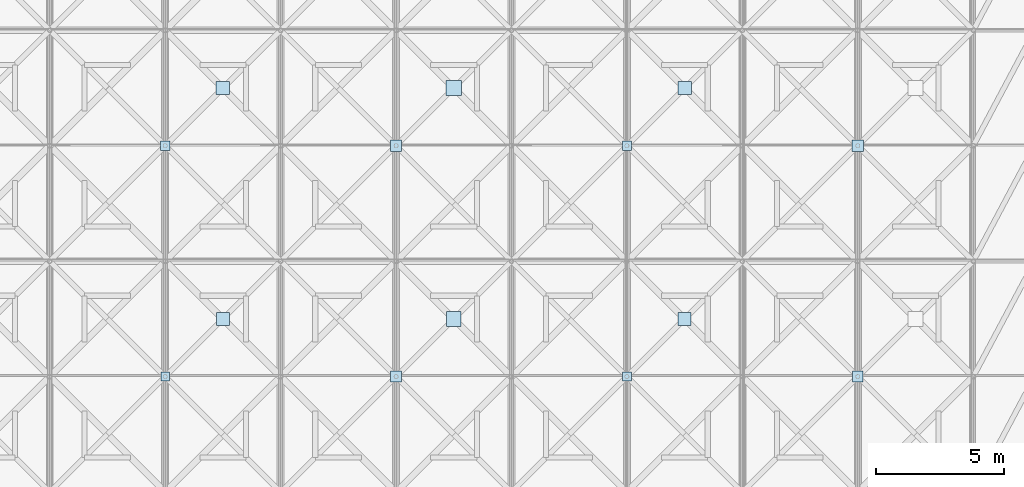
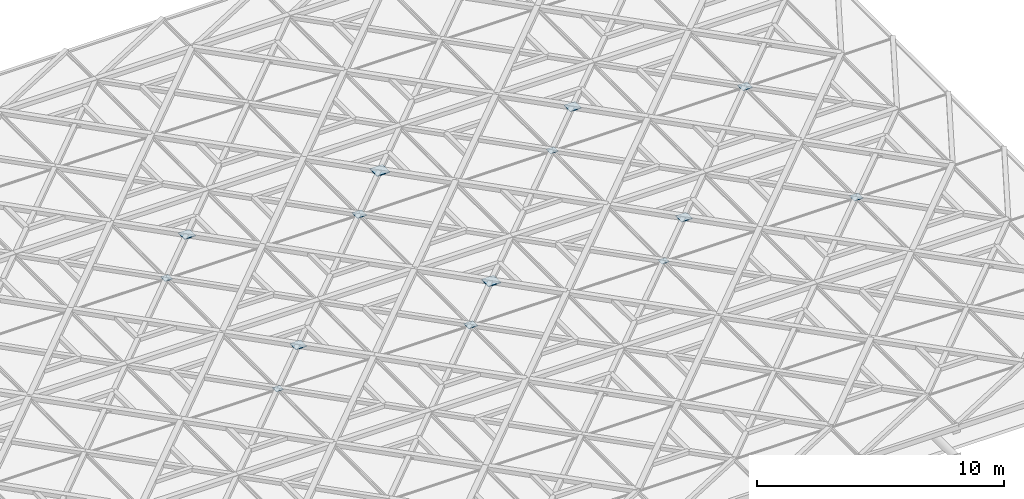
# One storey, part 68 of 80: 14 plates.
"""IFC4 building model written with IfcOpenShell, lengths in metres."""

from ifc_helpers import new_model, si_unit, direction, frame, origin, origin_2d, place, context, subcontext, project, spatial, rectangle, extrude, material, layer, layer_set, type_object, element, save


model = new_model("IFC4")

# Units and contexts
model_context = context("Model", 3, precision=1e-05, world=origin(), true_north=direction((0.0, 1.0)))
body_context = subcontext(model_context, "Body", "Model", "MODEL_VIEW")
ifc_project = project(units=[si_unit("LENGTHUNIT", "METRE"), si_unit("AREAUNIT", "SQUARE_METRE"), si_unit("VOLUMEUNIT", "CUBIC_METRE"), si_unit("PLANEANGLEUNIT", "RADIAN"), si_unit("MASSUNIT", "GRAM", prefix="KILO"), si_unit("THERMODYNAMICTEMPERATUREUNIT", "KELVIN"), si_unit("POWERUNIT", "WATT")], contexts=[model_context])

# Site, building, storey
site_placement = place(None, origin())
site = spatial("IfcSite", under=ifc_project, at=site_placement, CompositionType="ELEMENT")
building_placement = place(site_placement, origin())
building = spatial("IfcBuilding", under=site, at=building_placement, Name="Tallowbark Science Centre", CompositionType="ELEMENT")
storey_placement = place(building_placement, frame((0.0, 0.0, 25.949951171875)))
storey = spatial("IfcBuildingStorey", under=building, at=storey_placement, Name="ROOF", CompositionType="ELEMENT", Elevation=25.949951171875)

# Plates
ifc_material = material(Name="Structural Steel Grade 300PLUS (300 MPa)", Category="steel")
ifc_layer_1 = layer(ifc_material, 0.013916015625)
ifc_layer_set_1 = layer_set([ifc_layer_1], Name="Structural Steel Grade 300PLUS (300 MPa)")
plate_type_1 = type_object("IfcPlateType", Name="PLT-GUS-14", PredefinedType="SHEET", material=ifc_layer_set_1)
for number, where, z_axis, x_axis, name in (
    (1, (72.0, 18.0, 0.44287109375), (0.0, 0.0, 1.0), (1.0, 0.0, 0.0), "Star X-Brace Crossing Gusset Plate TOP-59"),
    (2, (90.0, 18.0, 0.44287109375), (0.0, 0.0, 1.0), (1.0, 0.0, 0.0), "Star X-Brace Crossing Gusset Plate TOP-67"),
):
    element("IfcPlate", number, at=place(storey_placement, frame(where, z_axis=z_axis, x_axis=x_axis)), inside=storey, type_object=plate_type_1, Name=name, PredefinedType="SHEET", context=body_context, shape_type="SweptSolid", body=[
        extrude(rectangle(XDim=0.340087890625, YDim=0.340087890625, at=origin_2d()), origin(), (0.0, 0.0, 1.0), 0.013916015625),
    ])
ifc_layer_2 = layer(ifc_material, 0.01611328125)
ifc_layer_set_2 = layer_set([ifc_layer_2], Name="Structural Steel Grade 300PLUS (300 MPa)")
plate_type_2 = type_object("IfcPlateType", Name="PLT-GUS-16", PredefinedType="SHEET", material=ifc_layer_set_2)
for number, where, z_axis, x_axis, name in (
    (3, (72.0, 27.0, 0.44189453125), (0.0, 0.0, 1.0), (1.0, 0.0, 0.0), "Star X-Brace Crossing Gusset Plate TOP-60"),
    (4, (90.0, 27.0, 0.44189453125), (0.0, 0.0, 1.0), (1.0, 0.0, 0.0), "Star X-Brace Crossing Gusset Plate TOP-68"),
):
    element("IfcPlate", number, at=place(storey_placement, frame(where, z_axis=z_axis, x_axis=x_axis)), inside=storey, type_object=plate_type_2, Name=name, PredefinedType="SHEET", context=body_context, shape_type="SweptSolid", body=[
        extrude(rectangle(XDim=0.360107421875, YDim=0.360107421875, at=origin_2d()), origin(), (0.0, 0.0, 1.0), 0.01611328125),
    ])
ifc_layer_3 = layer(ifc_material, 0.02197265625)
ifc_layer_set_3 = layer_set([ifc_layer_3], Name="Structural Steel Grade 300PLUS (300 MPa)")
plate_type_3 = type_object("IfcPlateType", Name="PLT-GUS-22", PredefinedType="SHEET", material=ifc_layer_set_3)
for number, where, z_axis, x_axis, name in (
    (5, (81.0, 18.0, 0.43896484375), (0.0, 0.0, 1.0), (1.0, 0.0, 0.0), "Star X-Brace Crossing Gusset Plate TOP-63"),
    (6, (99.0, 18.0, 0.43896484375), (0.0, 0.0, 1.0), (1.0, 0.0, 0.0), "Star X-Brace Crossing Gusset Plate TOP-71"),
):
    element("IfcPlate", number, at=place(storey_placement, frame(where, z_axis=z_axis, x_axis=x_axis)), inside=storey, type_object=plate_type_3, Name=name, PredefinedType="SHEET", context=body_context, shape_type="SweptSolid", body=[
        extrude(rectangle(XDim=0.419921875, YDim=0.419921875, at=origin_2d()), origin(), (0.0, 0.0, 1.0), 0.02197265625),
    ])
ifc_layer_4 = layer(ifc_material, 0.02392578125)
ifc_layer_set_4 = layer_set([ifc_layer_4], Name="Structural Steel Grade 300PLUS (300 MPa)")
plate_type_4 = type_object("IfcPlateType", Name="PLT-GUS-24", PredefinedType="SHEET", material=ifc_layer_set_4)
for number, where, z_axis, x_axis, name in (
    (7, (81.0, 27.0, 0.43798828125), (0.0, 0.0, 1.0), (1.0, 0.0, 0.0), "Star X-Brace Crossing Gusset Plate TOP-64"),
    (8, (99.0, 27.0, 0.43798828125), (0.0, 0.0, 1.0), (1.0, 0.0, 0.0), "Star X-Brace Crossing Gusset Plate TOP-72"),
):
    element("IfcPlate", number, at=place(storey_placement, frame(where, z_axis=z_axis, x_axis=x_axis)), inside=storey, type_object=plate_type_4, Name=name, PredefinedType="SHEET", context=body_context, shape_type="SweptSolid", body=[
        extrude(rectangle(XDim=0.43994140625, YDim=0.43994140625, at=origin_2d()), origin(), (0.0, 0.0, 1.0), 0.02392578125),
    ])
ifc_layer_5 = layer(ifc_material, 0.030029296875)
ifc_layer_set_5 = layer_set([ifc_layer_5], Name="Structural Steel Grade 300PLUS (300 MPa)")
plate_type_5 = type_object("IfcPlateType", Name="PLT-GUS-30", PredefinedType="SHEET", material=ifc_layer_set_5)
for number, where, z_axis, x_axis, name in (
    (9, (74.25, 20.25, 0.43505859375), (0.0, 0.0, 1.0), (1.0, 0.0, 0.0), "Star Primary Chord Crossing Gusset Plate TOP-59"),
    (10, (92.25, 20.25, 0.43505859375), (0.0, 0.0, 1.0), (1.0, 0.0, 0.0), "Star Primary Chord Crossing Gusset Plate TOP-67"),
):
    element("IfcPlate", number, at=place(storey_placement, frame(where, z_axis=z_axis, x_axis=x_axis)), inside=storey, type_object=plate_type_5, Name=name, PredefinedType="SHEET", context=body_context, shape_type="SweptSolid", body=[
        extrude(rectangle(XDim=0.5, YDim=0.5, at=origin_2d()), origin(), (0.0, 0.0, 1.0), 0.030029296875),
    ])
ifc_layer_6 = layer(ifc_material, 0.031982421875)
ifc_layer_set_6 = layer_set([ifc_layer_6], Name="Structural Steel Grade 300PLUS (300 MPa)")
plate_type_6 = type_object("IfcPlateType", Name="PLT-GUS-32", PredefinedType="SHEET", material=ifc_layer_set_6)
for number, where, z_axis, x_axis, name in (
    (11, (74.25, 29.25, 0.43408203125), (0.0, 0.0, 1.0), (1.0, 0.0, 0.0), "Star Primary Chord Crossing Gusset Plate TOP-60"),
    (12, (92.25, 29.25, 0.43408203125), (0.0, 0.0, 1.0), (1.0, 0.0, 0.0), "Star Primary Chord Crossing Gusset Plate TOP-68"),
):
    element("IfcPlate", number, at=place(storey_placement, frame(where, z_axis=z_axis, x_axis=x_axis)), inside=storey, type_object=plate_type_6, Name=name, PredefinedType="SHEET", context=body_context, shape_type="SweptSolid", body=[
        extrude(rectangle(XDim=0.52001953125, YDim=0.52001953125, at=origin_2d()), origin(), (0.0, 0.0, 1.0), 0.031982421875),
    ])
ifc_layer_7 = layer(ifc_material, 0.0380859375)
ifc_layer_set_7 = layer_set([ifc_layer_7], Name="Structural Steel Grade 300PLUS (300 MPa)")
plate_type_7 = type_object("IfcPlateType", Name="PLT-GUS-38", PredefinedType="SHEET", material=ifc_layer_set_7)
plate_1_placement = place(storey_placement, frame((83.25, 20.25, 0.430908203125), z_axis=(0.0, 0.0, 1.0), x_axis=(1.0, 0.0, 0.0)))
element("IfcPlate", 13, at=plate_1_placement, inside=storey, type_object=plate_type_7, Name="Star Primary Chord Crossing Gusset Plate TOP-63", PredefinedType="SHEET", context=body_context, shape_type="SweptSolid", body=[
    extrude(rectangle(XDim=0.580078125, YDim=0.580078125, at=origin_2d()), origin(), (0.0, 0.0, 1.0), 0.0380859375),
])
ifc_layer_8 = layer(ifc_material, 0.0400390625)
ifc_layer_set_8 = layer_set([ifc_layer_8], Name="Structural Steel Grade 300PLUS (300 MPa)")
plate_type_8 = type_object("IfcPlateType", Name="PLT-GUS-40", PredefinedType="SHEET", material=ifc_layer_set_8)
plate_2_placement = place(storey_placement, frame((83.25, 29.25, 0.429931640625), z_axis=(0.0, 0.0, 1.0), x_axis=(1.0, 0.0, 0.0)))
element("IfcPlate", 14, at=plate_2_placement, inside=storey, type_object=plate_type_8, Name="Star Primary Chord Crossing Gusset Plate TOP-64", PredefinedType="SHEET", context=body_context, shape_type="SweptSolid", body=[
    extrude(rectangle(XDim=0.60009765625, YDim=0.60009765625, at=origin_2d()), origin(), (0.0, 0.0, 1.0), 0.0400390625),
])

save(model, "model.ifc")
